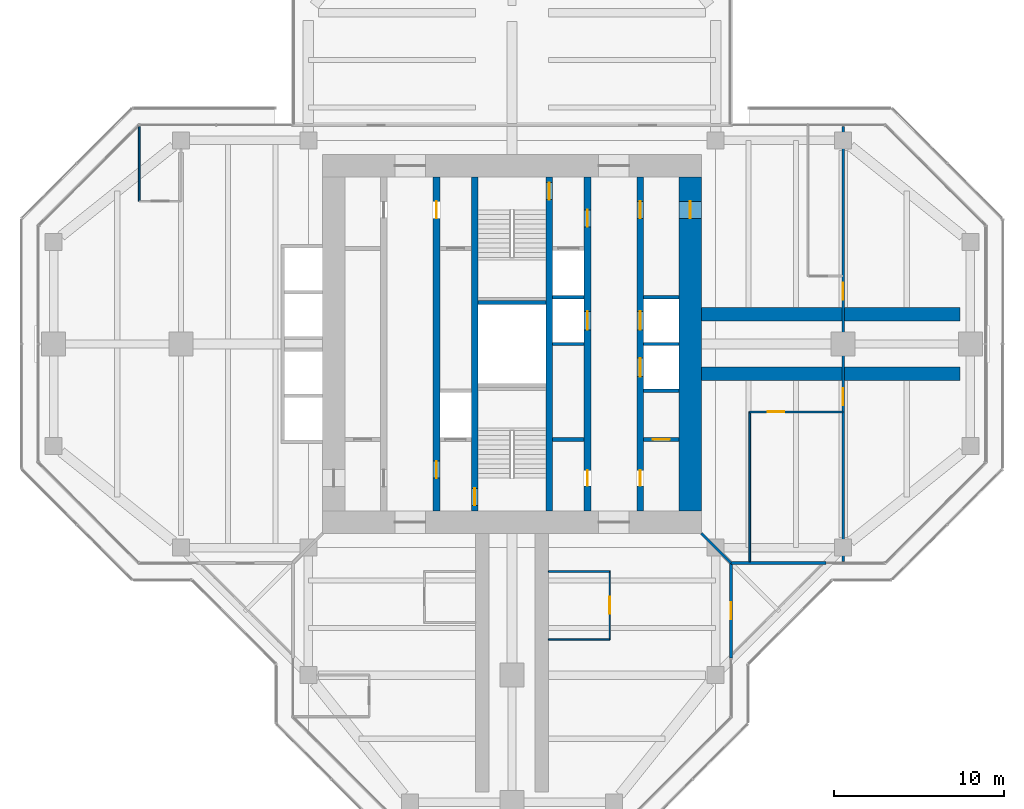
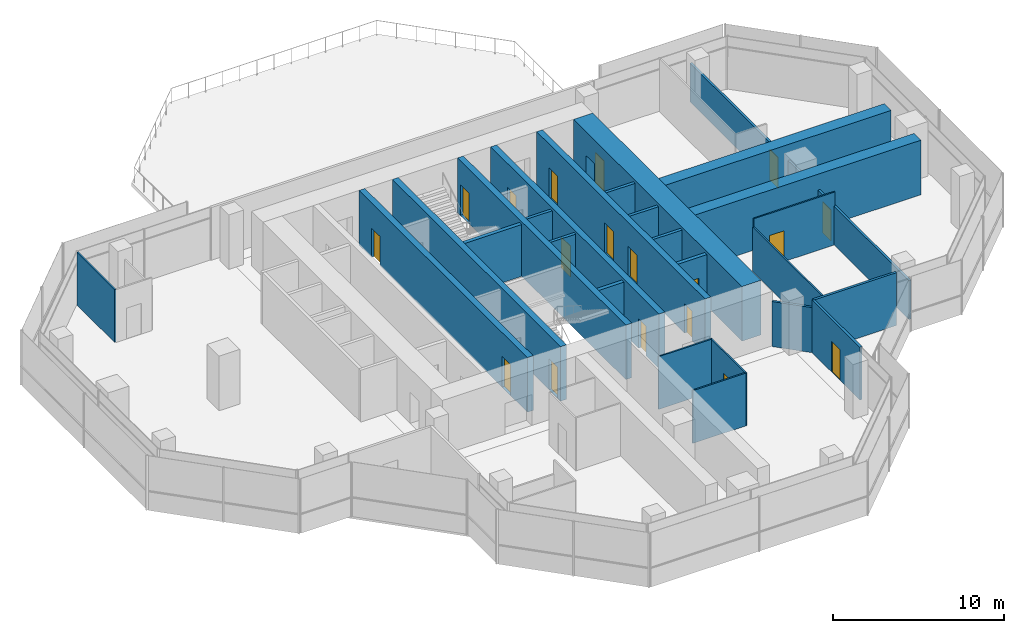
# One storey, part 12 of 15: 26 walls, 18 doors, 18 openings.
"""IFC4 building model written with IfcOpenShell, lengths in metres."""

from ifc_helpers import new_model, si_unit, direction, frame, frame_2d, origin, place, context, subcontext, project, spatial, rectangle, extrude, material, layer, layer_set, type_object, element, fill, save


model = new_model("IFC4")

# Units and contexts
model_context = context("Model", 3, precision=1e-05, world=origin(), true_north=direction((0.0, 1.0)))
body_context = subcontext(model_context, "Body", "Model", "MODEL_VIEW")
ifc_project = project(units=[si_unit("LENGTHUNIT", "METRE"), si_unit("AREAUNIT", "SQUARE_METRE"), si_unit("VOLUMEUNIT", "CUBIC_METRE"), si_unit("PLANEANGLEUNIT", "RADIAN"), si_unit("MASSUNIT", "GRAM", prefix="KILO")], contexts=[model_context])

# Site, building, storey
site_placement = place(None, origin())
site = spatial("IfcSite", under=ifc_project, at=site_placement, CompositionType="ELEMENT")
building_placement = place(site_placement, origin())
building = spatial("IfcBuilding", under=site, at=building_placement, Name="Mizan Broadcast Tower", CompositionType="ELEMENT")
storey_placement = place(building_placement, frame((0.0, 0.0, 267.300048828125)))
storey = spatial("IfcBuildingStorey", under=building, at=storey_placement, Name="L63", CompositionType="ELEMENT", Elevation=267.300048828125)

# Wall, openings, doors
ifc_material_1 = material(Name="Concrete C70/85", Category="concrete")
ifc_layer_1 = layer(ifc_material_1, 0.39990234375)
ifc_layer_set_1 = layer_set([ifc_layer_1], Name="Concrete C70/85")
wall_type_1 = type_object("IfcWallType", Name="CORE INTERNAL WALL 400", PredefinedType="SHEAR", material=ifc_layer_set_1)
wall_1_placement = place(storey_placement, frame((7.550048828125, 9.85009765625, 0.0), z_axis=(0.0, 0.0, 1.0), x_axis=(0.0, -1.0, 0.0)))
wall_1 = element("IfcWall", 1, at=wall_1_placement, inside=storey, type_object=wall_type_1, Name="Core wall CORE/XW1E", PredefinedType="SHEAR", context=body_context, shape_type="SweptSolid", body=[
    extrude(rectangle(XDim=19.7001953125, YDim=0.39990234375, at=frame_2d((9.85009765625, 0.0))), origin(), (0.0, 0.0, 1.0), 3.89990234375),
])
opening_1_placement = place(wall_1_placement, frame((1.449951171875, 0.0, 0.0)))
opening_1 = element("IfcOpeningElement", 2, at=opening_1_placement, cuts=wall_1, Name="Opening D10F", PredefinedType="OPENING", context=body_context, shape_type="SweptSolid", body=[
    extrude(rectangle(XDim=1.0, YDim=2.199951171875, at=frame_2d((0.5, 1.10009765625))), frame((0.0, 0.2099609375, 0.0), z_axis=(0.0, -1.0, 0.0), x_axis=(1.0, 0.0, 0.0)), (0.0, 0.0, 1.0), 0.419921875),
])
opening_2_placement = place(wall_1_placement, frame((17.300048828125, 0.0, 0.0)))
opening_2 = element("IfcOpeningElement", 3, at=opening_2_placement, cuts=wall_1, Name="Opening D09", PredefinedType="OPENING", context=body_context, shape_type="SweptSolid", body=[
    extrude(rectangle(XDim=0.89990234375, YDim=2.10009765625, at=frame_2d((0.449951171875, 1.050048828125))), frame((0.0, 0.2099609375, 0.0), z_axis=(0.0, -1.0, 0.0), x_axis=(1.0, 0.0, 0.0)), (0.0, 0.0, 1.0), 0.419921875),
])
opening_3_placement = place(wall_1_placement, frame((7.925048828125, 0.0, 0.0)))
opening_3 = element("IfcOpeningElement", 4, at=opening_3_placement, cuts=wall_1, Name="Opening LD", PredefinedType="OPENING", context=body_context, shape_type="SweptSolid", body=[
    extrude(rectangle(XDim=1.10009765625, YDim=2.199951171875, at=frame_2d((0.550048828125, 1.10009765625))), frame((0.0, 0.2099609375, 0.0), z_axis=(0.0, -1.0, 0.0), x_axis=(1.0, 0.0, 0.0)), (0.0, 0.0, 1.0), 0.419921875),
])
opening_4_placement = place(wall_1_placement, frame((10.675048828125, 0.0, 0.0)))
opening_4 = element("IfcOpeningElement", 5, at=opening_4_placement, cuts=wall_1, Name="Opening LD", PredefinedType="OPENING", context=body_context, shape_type="SweptSolid", body=[
    extrude(rectangle(XDim=1.10009765625, YDim=2.199951171875, at=frame_2d((0.550048828125, 1.10009765625))), frame((0.0, 0.2099609375, 0.0), z_axis=(0.0, -1.0, 0.0), x_axis=(1.0, 0.0, 0.0)), (0.0, 0.0, 1.0), 0.419921875),
])
ifc_material_2 = material(Name="Steel door leaf in steel frame", Category="steel")
door_type_1 = type_object("IfcDoorType", Name="FIRE DOOR 1000 FD90", OperationType="SINGLE_SWING_LEFT", PredefinedType="DOOR", material=ifc_material_2)
door_1_placement = place(opening_1_placement, origin())
door_1 = element("IfcDoor", 6, at=door_1_placement, inside=storey, type_object=door_type_1, Name="East core passage door", OperationType="SINGLE_SWING_LEFT", OverallHeight=2.199951171875, OverallWidth=1.0, PredefinedType="DOOR", context=body_context, shape_type="SweptSolid", body=[
    extrude(rectangle(XDim=1.0, YDim=2.199951171875, at=frame_2d((0.5, 1.10009765625))), frame((0.0, 0.02490234375, 0.0), z_axis=(0.0, -1.0, 0.0), x_axis=(1.0, 0.0, 0.0)), (0.0, 0.0, 1.0), 0.050048828125),
])
fill(opening_1, door_1)
ifc_material_3 = material(Name="Steel door leaf in steel frame", Category="steel")
door_type_2 = type_object("IfcDoorType", Name="LIFT LANDING DOOR 1100", OperationType="SLIDING_TO_LEFT", PredefinedType="DOOR", material=ifc_material_3)
door_2_placement = place(opening_3_placement, origin())
door_2 = element("IfcDoor", 7, at=door_2_placement, inside=storey, type_object=door_type_2, Name="Landing door LD1", OperationType="SLIDING_TO_LEFT", OverallHeight=2.199951171875, OverallWidth=1.10009765625, PredefinedType="DOOR", context=body_context, shape_type="SweptSolid", body=[
    extrude(rectangle(XDim=1.10009765625, YDim=2.199951171875, at=frame_2d((0.550048828125, 1.10009765625))), frame((0.0, 0.02490234375, 0.0), z_axis=(0.0, -1.0, 0.0), x_axis=(1.0, 0.0, 0.0)), (0.0, 0.0, 1.0), 0.050048828125),
])
fill(opening_3, door_2)
door_3_placement = place(opening_4_placement, origin())
door_3 = element("IfcDoor", 8, at=door_3_placement, inside=storey, type_object=door_type_2, Name="Landing door LD2", OperationType="SLIDING_TO_LEFT", OverallHeight=2.199951171875, OverallWidth=1.10009765625, PredefinedType="DOOR", context=body_context, shape_type="SweptSolid", body=[
    extrude(rectangle(XDim=1.10009765625, YDim=2.199951171875, at=frame_2d((0.550048828125, 1.10009765625))), frame((0.0, 0.02490234375, 0.0), z_axis=(0.0, -1.0, 0.0), x_axis=(1.0, 0.0, 0.0)), (0.0, 0.0, 1.0), 0.050048828125),
])
fill(opening_4, door_3)
ifc_material_4 = material(Name="Timber door leaf in aluminium frame", Category="wood")
door_type_3 = type_object("IfcDoorType", Name="TOILET DOOR 900", OperationType="SINGLE_SWING_LEFT", PredefinedType="DOOR", material=ifc_material_4)
door_4_placement = place(opening_2_placement, origin())
door_4 = element("IfcDoor", 9, at=door_4_placement, inside=storey, type_object=door_type_3, Name="Female WC door", OperationType="SINGLE_SWING_RIGHT", OverallHeight=2.10009765625, OverallWidth=0.89990234375, PredefinedType="DOOR", context=body_context, shape_type="SweptSolid", body=[
    extrude(rectangle(XDim=0.89990234375, YDim=2.10009765625, at=frame_2d((0.449951171875, 1.050048828125))), frame((0.0, 0.02490234375, 0.0), z_axis=(0.0, -1.0, 0.0), x_axis=(1.0, 0.0, 0.0)), (0.0, 0.0, 1.0), 0.050048828125),
])
fill(opening_2, door_4)

wall_2_placement = place(storey_placement, frame((-4.449951171875, -9.85009765625, 0.0), z_axis=(0.0, 0.0, 1.0), x_axis=(0.0, 1.0, 0.0)))
wall_2 = element("IfcWall", 10, at=wall_2_placement, inside=storey, type_object=wall_type_1, Name="Core wall CORE/XWH", PredefinedType="SHEAR", context=body_context, shape_type="SweptSolid", body=[
    extrude(rectangle(XDim=19.7001953125, YDim=0.39990234375, at=frame_2d((9.85009765625, 0.0))), origin(), (0.0, 0.0, 1.0), 3.89990234375),
])
opening_5_placement = place(wall_2_placement, frame((1.949951171875, 0.0, 0.0)))
opening_5 = element("IfcOpeningElement", 11, at=opening_5_placement, cuts=wall_2, Name="Opening D10F", PredefinedType="OPENING", context=body_context, shape_type="SweptSolid", body=[
    extrude(rectangle(XDim=1.0, YDim=2.199951171875, at=frame_2d((0.5, 1.10009765625))), frame((0.0, 0.2099609375, 0.0), z_axis=(0.0, -1.0, 0.0), x_axis=(1.0, 0.0, 0.0)), (0.0, 0.0, 1.0), 0.419921875),
])
opening_6_placement = place(wall_2_placement, frame((17.25, 0.0, 0.0)))
opening_6 = element("IfcOpeningElement", 12, at=opening_6_placement, cuts=wall_2, Name="Opening D10A", PredefinedType="OPENING", context=body_context, shape_type="SweptSolid", body=[
    extrude(rectangle(XDim=1.0, YDim=2.10009765625, at=frame_2d((0.5, 1.050048828125))), frame((0.0, 0.2099609375, 0.0), z_axis=(0.0, -1.0, 0.0), x_axis=(1.0, 0.0, 0.0)), (0.0, 0.0, 1.0), 0.419921875),
])
ifc_material_5 = material(Name="Timber door leaf in aluminium frame", Category="wood")
door_type_4 = type_object("IfcDoorType", Name="ACCESSIBLE WC DOOR 1000", OperationType="SLIDING_TO_LEFT", PredefinedType="DOOR", material=ifc_material_5)
door_5_placement = place(opening_6_placement, origin())
door_5 = element("IfcDoor", 13, at=door_5_placement, inside=storey, type_object=door_type_4, Name="Accessible WC door", OperationType="SLIDING_TO_LEFT", OverallHeight=2.10009765625, OverallWidth=1.0, PredefinedType="DOOR", context=body_context, shape_type="SweptSolid", body=[
    extrude(rectangle(XDim=1.0, YDim=2.10009765625, at=frame_2d((0.5, 1.050048828125))), frame((0.0, 0.02490234375, 0.0), z_axis=(0.0, -1.0, 0.0), x_axis=(1.0, 0.0, 0.0)), (0.0, 0.0, 1.0), 0.050048828125),
])
fill(opening_6, door_5)
door_6_placement = place(opening_5_placement, origin())
door_6 = element("IfcDoor", 14, at=door_6_placement, inside=storey, type_object=door_type_1, Name="Firefighting lobby A door", OperationType="SINGLE_SWING_LEFT", OverallHeight=2.199951171875, OverallWidth=1.0, PredefinedType="DOOR", context=body_context, shape_type="SweptSolid", body=[
    extrude(rectangle(XDim=1.0, YDim=2.199951171875, at=frame_2d((0.5, 1.10009765625))), frame((0.0, 0.02490234375, 0.0), z_axis=(0.0, -1.0, 0.0), x_axis=(1.0, 0.0, 0.0)), (0.0, 0.0, 1.0), 0.050048828125),
])
fill(opening_5, door_6)

wall_3_placement = place(storey_placement, frame((4.449951171875, 9.85009765625, 0.0), z_axis=(0.0, 0.0, 1.0), x_axis=(0.0, -1.0, 0.0)))
wall_3 = element("IfcWall", 15, at=wall_3_placement, inside=storey, type_object=wall_type_1, Name="Core wall CORE/XWHE", PredefinedType="SHEAR", context=body_context, shape_type="SweptSolid", body=[
    extrude(rectangle(XDim=19.7001953125, YDim=0.39990234375, at=frame_2d((9.85009765625, 0.0))), origin(), (0.0, 0.0, 1.0), 3.89990234375),
])
opening_7_placement = place(wall_3_placement, frame((1.949951171875, 0.0, 0.0)))
opening_7 = element("IfcOpeningElement", 16, at=opening_7_placement, cuts=wall_3, Name="Opening D10F", PredefinedType="OPENING", context=body_context, shape_type="SweptSolid", body=[
    extrude(rectangle(XDim=1.0, YDim=2.199951171875, at=frame_2d((0.5, 1.10009765625))), frame((0.0, 0.2099609375, 0.0), z_axis=(0.0, -1.0, 0.0), x_axis=(1.0, 0.0, 0.0)), (0.0, 0.0, 1.0), 0.419921875),
])
opening_8_placement = place(wall_3_placement, frame((17.300048828125, 0.0, 0.0)))
opening_8 = element("IfcOpeningElement", 17, at=opening_8_placement, cuts=wall_3, Name="Opening D09", PredefinedType="OPENING", context=body_context, shape_type="SweptSolid", body=[
    extrude(rectangle(XDim=0.89990234375, YDim=2.10009765625, at=frame_2d((0.449951171875, 1.050048828125))), frame((0.0, 0.2099609375, 0.0), z_axis=(0.0, -1.0, 0.0), x_axis=(1.0, 0.0, 0.0)), (0.0, 0.0, 1.0), 0.419921875),
])
opening_9_placement = place(wall_3_placement, frame((7.925048828125, 0.0, 0.0)))
opening_9 = element("IfcOpeningElement", 18, at=opening_9_placement, cuts=wall_3, Name="Opening LD", PredefinedType="OPENING", context=body_context, shape_type="SweptSolid", body=[
    extrude(rectangle(XDim=1.10009765625, YDim=2.199951171875, at=frame_2d((0.550048828125, 1.10009765625))), frame((0.0, 0.2099609375, 0.0), z_axis=(0.0, -1.0, 0.0), x_axis=(1.0, 0.0, 0.0)), (0.0, 0.0, 1.0), 0.419921875),
])
door_7_placement = place(opening_7_placement, origin())
door_7 = element("IfcDoor", 19, at=door_7_placement, inside=storey, type_object=door_type_1, Name="Firefighting lobby B door", OperationType="SINGLE_SWING_LEFT", OverallHeight=2.199951171875, OverallWidth=1.0, PredefinedType="DOOR", context=body_context, shape_type="SweptSolid", body=[
    extrude(rectangle(XDim=1.0, YDim=2.199951171875, at=frame_2d((0.5, 1.10009765625))), frame((0.0, 0.02490234375, 0.0), z_axis=(0.0, -1.0, 0.0), x_axis=(1.0, 0.0, 0.0)), (0.0, 0.0, 1.0), 0.050048828125),
])
fill(opening_7, door_7)
door_8_placement = place(opening_9_placement, origin())
door_8 = element("IfcDoor", 20, at=door_8_placement, inside=storey, type_object=door_type_2, Name="Landing door LD3", OperationType="SLIDING_TO_LEFT", OverallHeight=2.199951171875, OverallWidth=1.10009765625, PredefinedType="DOOR", context=body_context, shape_type="SweptSolid", body=[
    extrude(rectangle(XDim=1.10009765625, YDim=2.199951171875, at=frame_2d((0.550048828125, 1.10009765625))), frame((0.0, 0.02490234375, 0.0), z_axis=(0.0, -1.0, 0.0), x_axis=(1.0, 0.0, 0.0)), (0.0, 0.0, 1.0), 0.050048828125),
])
fill(opening_9, door_8)
door_9_placement = place(opening_8_placement, origin())
door_9 = element("IfcDoor", 21, at=door_9_placement, inside=storey, type_object=door_type_3, Name="Cleaner's store door", OperationType="SINGLE_SWING_RIGHT", OverallHeight=2.10009765625, OverallWidth=0.89990234375, PredefinedType="DOOR", context=body_context, shape_type="SweptSolid", body=[
    extrude(rectangle(XDim=0.89990234375, YDim=2.10009765625, at=frame_2d((0.449951171875, 1.050048828125))), frame((0.0, 0.02490234375, 0.0), z_axis=(0.0, -1.0, 0.0), x_axis=(1.0, 0.0, 0.0)), (0.0, 0.0, 1.0), 0.050048828125),
])
fill(opening_8, door_9)

# Wall, opening, door
wall_4_placement = place(storey_placement, frame((-2.199951171875, -9.85009765625, 0.0), z_axis=(0.0, 0.0, 1.0), x_axis=(0.0, 1.0, 0.0)))
wall_4 = element("IfcWall", 22, at=wall_4_placement, inside=storey, type_object=wall_type_1, Name="Core wall CORE/XW2", PredefinedType="SHEAR", context=body_context, shape_type="SweptSolid", body=[
    extrude(rectangle(XDim=19.7001953125, YDim=0.39990234375, at=frame_2d((9.85009765625, 0.0))), origin(), (0.0, 0.0, 1.0), 3.89990234375),
])
opening_10_placement = place(wall_4_placement, frame((0.35009765625, 0.0, 0.0)))
opening_10 = element("IfcOpeningElement", 23, at=opening_10_placement, cuts=wall_4, Name="Opening D10S", PredefinedType="OPENING", context=body_context, shape_type="SweptSolid", body=[
    extrude(rectangle(XDim=1.0, YDim=2.199951171875, at=frame_2d((0.5, 1.10009765625))), frame((0.0, 0.2099609375, 0.0), z_axis=(0.0, -1.0, 0.0), x_axis=(1.0, 0.0, 0.0)), (0.0, 0.0, 1.0), 0.419921875),
])
ifc_material_6 = material(Name="Steel door leaf in steel frame", Category="steel")
door_type_5 = type_object("IfcDoorType", Name="STAIR DOOR 1000 FD90S", OperationType="SINGLE_SWING_RIGHT", PredefinedType="DOOR", material=ifc_material_6)
door_10_placement = place(opening_10_placement, origin())
door_10 = element("IfcDoor", 24, at=door_10_placement, inside=storey, type_object=door_type_5, Name="Stair A door", OperationType="SINGLE_SWING_RIGHT", OverallHeight=2.199951171875, OverallWidth=1.0, PredefinedType="DOOR", context=body_context, shape_type="SweptSolid", body=[
    extrude(rectangle(XDim=1.0, YDim=2.199951171875, at=frame_2d((0.5, 1.10009765625))), frame((0.0, 0.02490234375, 0.0), z_axis=(0.0, -1.0, 0.0), x_axis=(1.0, 0.0, 0.0)), (0.0, 0.0, 1.0), 0.050048828125),
])
fill(opening_10, door_10)

wall_5_placement = place(storey_placement, frame((2.199951171875, 9.85009765625, 0.0), z_axis=(0.0, 0.0, 1.0), x_axis=(0.0, -1.0, 0.0)))
wall_5 = element("IfcWall", 25, at=wall_5_placement, inside=storey, type_object=wall_type_1, Name="Core wall CORE/XW2E", PredefinedType="SHEAR", context=body_context, shape_type="SweptSolid", body=[
    extrude(rectangle(XDim=19.7001953125, YDim=0.39990234375, at=frame_2d((9.85009765625, 0.0))), origin(), (0.0, 0.0, 1.0), 3.89990234375),
])
opening_11_placement = place(wall_5_placement, frame((0.35009765625, 0.0, 0.0)))
opening_11 = element("IfcOpeningElement", 26, at=opening_11_placement, cuts=wall_5, Name="Opening D10S", PredefinedType="OPENING", context=body_context, shape_type="SweptSolid", body=[
    extrude(rectangle(XDim=1.0, YDim=2.199951171875, at=frame_2d((0.5, 1.10009765625))), frame((0.0, 0.2099609375, 0.0), z_axis=(0.0, -1.0, 0.0), x_axis=(1.0, 0.0, 0.0)), (0.0, 0.0, 1.0), 0.419921875),
])
door_11_placement = place(opening_11_placement, origin())
door_11 = element("IfcDoor", 27, at=door_11_placement, inside=storey, type_object=door_type_5, Name="Stair B door", OperationType="SINGLE_SWING_RIGHT", OverallHeight=2.199951171875, OverallWidth=1.0, PredefinedType="DOOR", context=body_context, shape_type="SweptSolid", body=[
    extrude(rectangle(XDim=1.0, YDim=2.199951171875, at=frame_2d((0.5, 1.10009765625))), frame((0.0, 0.02490234375, 0.0), z_axis=(0.0, -1.0, 0.0), x_axis=(1.0, 0.0, 0.0)), (0.0, 0.0, 1.0), 0.050048828125),
])
fill(opening_11, door_11)

ifc_material_7 = material(Name="Concrete C70/85", Category="concrete")
ifc_layer_2 = layer(ifc_material_7, 1.300048828125)
ifc_layer_set_2 = layer_set([ifc_layer_2], Name="Concrete C70/85")
wall_type_2 = type_object("IfcWallType", Name="CORE WALL 1300", PredefinedType="SHEAR", material=ifc_layer_set_2)
wall_6_placement = place(storey_placement, frame((10.5, -9.85009765625, 0.0), z_axis=(0.0, 0.0, 1.0), x_axis=(0.0, 1.0, 0.0)))
wall_6 = element("IfcWall", 28, at=wall_6_placement, inside=storey, type_object=wall_type_2, Name="Core wall E L63", PredefinedType="SHEAR", context=body_context, shape_type="SweptSolid", body=[
    extrude(rectangle(XDim=19.7001953125, YDim=1.300048828125, at=frame_2d((9.85009765625, 0.0))), origin(), (0.0, 0.0, 1.0), 3.89990234375),
])
opening_12_placement = place(wall_6_placement, frame((17.25, 0.0, 0.0)))
opening_12 = element("IfcOpeningElement", 29, at=opening_12_placement, cuts=wall_6, Name="Opening D10F", PredefinedType="OPENING", context=body_context, shape_type="SweptSolid", body=[
    extrude(rectangle(XDim=1.0, YDim=2.199951171875, at=frame_2d((0.5, 1.10009765625))), frame((0.0, 0.659912109375, 0.0), z_axis=(0.0, -1.0, 0.0), x_axis=(1.0, 0.0, 0.0)), (0.0, 0.0, 1.0), 1.320068359375),
])
door_12_placement = place(opening_12_placement, origin())
door_12 = element("IfcDoor", 30, at=door_12_placement, inside=storey, type_object=door_type_1, Name="East core passage arm door", OperationType="SINGLE_SWING_RIGHT", OverallHeight=2.199951171875, OverallWidth=1.0, PredefinedType="DOOR", context=body_context, shape_type="SweptSolid", body=[
    extrude(rectangle(XDim=1.0, YDim=2.199951171875, at=frame_2d((0.5, 1.10009765625))), frame((0.0, 0.02490234375, 0.0), z_axis=(0.0, -1.0, 0.0), x_axis=(1.0, 0.0, 0.0)), (0.0, 0.0, 1.0), 0.050048828125),
])
fill(opening_12, door_12)

# Wall
ifc_material_8 = material(Name="Aluminium framed glazed screen", Category="aluminium")
ifc_layer_3 = layer(ifc_material_8, 0.159912109375)
ifc_layer_set_3 = layer_set([ifc_layer_3], Name="Aluminium framed glazed screen")
wall_type_3 = type_object("IfcWallType", Name="GLAZED SCREEN WALL 160", PredefinedType="SOLIDWALL", material=ifc_layer_set_3)
wall_7_placement = place(storey_placement, frame((12.89990234375, -12.89990234375, 0.0), z_axis=(0.0, 0.0, 1.0), x_axis=(1.0, 0.0, 0.0)))
element("IfcWall", 31, at=wall_7_placement, inside=storey, type_object=wall_type_3, Name="Winter garden screen L63 E", PredefinedType="SOLIDWALL", context=body_context, shape_type="SweptSolid", body=[
    extrude(rectangle(XDim=5.60009765625, YDim=0.159912109375, at=frame_2d((2.800048828125, 0.0))), origin(), (0.0, 0.0, 1.0), 3.77001953125),
])

# Wall, opening, door
wall_8_placement = place(storey_placement, frame((12.89990234375, -18.5, 0.0), z_axis=(0.0, 0.0, 1.0), x_axis=(0.0, 1.0, 0.0)))
wall_8 = element("IfcWall", 32, at=wall_8_placement, inside=storey, type_object=wall_type_3, Name="Winter garden screen L63 S", PredefinedType="SOLIDWALL", context=body_context, shape_type="SweptSolid", body=[
    extrude(rectangle(XDim=5.60009765625, YDim=0.159912109375, at=frame_2d((2.800048828125, 0.0))), origin(), (0.0, 0.0, 1.0), 3.77001953125),
])
opening_13_placement = place(wall_8_placement, frame((2.300048828125, 0.0, 0.0)))
opening_13 = element("IfcOpeningElement", 33, at=opening_13_placement, cuts=wall_8, Name="Opening WGD", PredefinedType="OPENING", context=body_context, shape_type="SweptSolid", body=[
    extrude(rectangle(XDim=1.0, YDim=2.199951171875, at=frame_2d((0.5, 1.10009765625))), frame((0.0, 0.08984375, 0.0), z_axis=(0.0, -1.0, 0.0), x_axis=(1.0, 0.0, 0.0)), (0.0, 0.0, 1.0), 0.179931640625),
])
ifc_material_9 = material(Name="Aluminium framed glazed door", Category="aluminium")
door_type_6 = type_object("IfcDoorType", Name="WINTER GARDEN DOOR 1000 GLAZED", OperationType="SINGLE_SWING_LEFT", PredefinedType="DOOR", material=ifc_material_9)
door_13_placement = place(opening_13_placement, origin())
door_13 = element("IfcDoor", 34, at=door_13_placement, inside=storey, type_object=door_type_6, Name="Winter garden door L63 S", OperationType="SINGLE_SWING_RIGHT", OverallHeight=2.199951171875, OverallWidth=1.0, PredefinedType="DOOR", context=body_context, shape_type="SweptSolid", body=[
    extrude(rectangle(XDim=1.0, YDim=2.199951171875, at=frame_2d((0.5, 1.10009765625))), frame((0.0, 0.02490234375, 0.0), z_axis=(0.0, -1.0, 0.0), x_axis=(1.0, 0.0, 0.0)), (0.0, 0.0, 1.0), 0.050048828125),
])
fill(opening_13, door_13)

# Walls
ifc_material_10 = material(Name="Concrete blockwork", Category="masonry")
ifc_layer_4 = layer(ifc_material_10, 0.199951171875)
ifc_layer_set_4 = layer_set([ifc_layer_4], Name="Concrete blockwork")
wall_type_4 = type_object("IfcWallType", Name="LIFT SHAFT WALL 200", PredefinedType="SOLIDWALL", material=ifc_layer_set_4)
wall_9_placement = place(storey_placement, frame((7.75, -2.75, 0.0), z_axis=(0.0, 0.0, 1.0), x_axis=(1.0, 0.0, 0.0)))
element("IfcWall", 35, at=wall_9_placement, inside=storey, type_object=wall_type_4, Name="Lift shaft wall CORE/SE1-1", PredefinedType="SOLIDWALL", context=body_context, shape_type="SweptSolid", body=[
    extrude(rectangle(XDim=2.10009765625, YDim=0.199951171875, at=frame_2d((1.050048828125, 0.0))), origin(), (0.0, 0.0, 1.0), 3.699951171875),
])
wall_10_placement = place(storey_placement, frame((2.39990234375, 0.0, 0.0), z_axis=(0.0, 0.0, 1.0), x_axis=(1.0, 0.0, 0.0)))
element("IfcWall", 36, at=wall_10_placement, inside=storey, type_object=wall_type_4, Name="Lift shaft wall CORE/SE2-2", PredefinedType="SOLIDWALL", context=body_context, shape_type="SweptSolid", body=[
    extrude(rectangle(XDim=1.85009765625, YDim=0.199951171875, at=frame_2d((0.925048828125, 0.0))), origin(), (0.0, 0.0, 1.0), 3.699951171875),
])
wall_11_placement = place(storey_placement, frame((7.75, 0.0, 0.0), z_axis=(0.0, 0.0, 1.0), x_axis=(1.0, 0.0, 0.0)))
element("IfcWall", 37, at=wall_11_placement, inside=storey, type_object=wall_type_4, Name="Lift shaft wall CORE/SE1-2", PredefinedType="SOLIDWALL", context=body_context, shape_type="SweptSolid", body=[
    extrude(rectangle(XDim=2.10009765625, YDim=0.199951171875, at=frame_2d((1.050048828125, 0.0))), origin(), (0.0, 0.0, 1.0), 3.699951171875),
])
wall_12_placement = place(storey_placement, frame((2.39990234375, 2.75, 0.0), z_axis=(0.0, 0.0, 1.0), x_axis=(1.0, 0.0, 0.0)))
element("IfcWall", 38, at=wall_12_placement, inside=storey, type_object=wall_type_4, Name="Lift shaft wall CORE/SE2-3", PredefinedType="SOLIDWALL", context=body_context, shape_type="SweptSolid", body=[
    extrude(rectangle(XDim=1.85009765625, YDim=0.199951171875, at=frame_2d((0.925048828125, 0.0))), origin(), (0.0, 0.0, 1.0), 3.699951171875),
])
wall_13_placement = place(storey_placement, frame((7.75, 2.75, 0.0), z_axis=(0.0, 0.0, 1.0), x_axis=(1.0, 0.0, 0.0)))
element("IfcWall", 39, at=wall_13_placement, inside=storey, type_object=wall_type_4, Name="Lift shaft wall CORE/SE1-3", PredefinedType="SOLIDWALL", context=body_context, shape_type="SweptSolid", body=[
    extrude(rectangle(XDim=2.10009765625, YDim=0.199951171875, at=frame_2d((1.050048828125, 0.0))), origin(), (0.0, 0.0, 1.0), 3.699951171875),
])
ifc_material_11 = material(Name="Concrete blockwork", Category="masonry")
ifc_layer_5 = layer(ifc_material_11, 0.25)
ifc_layer_set_5 = layer_set([ifc_layer_5], Name="Concrete blockwork")
wall_type_5 = type_object("IfcWallType", Name="LOBBY ENCLOSURE WALL 250", PredefinedType="SOLIDWALL", material=ifc_layer_set_5)
wall_14_placement = place(storey_placement, frame((2.39990234375, -5.625, 0.0), z_axis=(0.0, 0.0, 1.0), x_axis=(1.0, 0.0, 0.0)))
element("IfcWall", 40, at=wall_14_placement, inside=storey, type_object=wall_type_5, Name="Lobby enclosure wall CORE/BE2S", PredefinedType="SOLIDWALL", context=body_context, shape_type="SweptSolid", body=[
    extrude(rectangle(XDim=1.85009765625, YDim=0.25, at=frame_2d((0.925048828125, 0.0))), origin(), (0.0, 0.0, 1.0), 3.699951171875),
])

# Wall, opening, door
wall_15_placement = place(storey_placement, frame((7.75, -5.625, 0.0), z_axis=(0.0, 0.0, 1.0), x_axis=(1.0, 0.0, 0.0)))
wall_15 = element("IfcWall", 41, at=wall_15_placement, inside=storey, type_object=wall_type_5, Name="Lobby enclosure wall CORE/BE1S", PredefinedType="SOLIDWALL", context=body_context, shape_type="SweptSolid", body=[
    extrude(rectangle(XDim=2.10009765625, YDim=0.25, at=frame_2d((1.050048828125, 0.0))), origin(), (0.0, 0.0, 1.0), 3.699951171875),
])
opening_14_placement = place(wall_15_placement, frame((0.550048828125, 0.0, 0.0)))
opening_14 = element("IfcOpeningElement", 42, at=opening_14_placement, cuts=wall_15, Name="Opening D10F", PredefinedType="OPENING", context=body_context, shape_type="SweptSolid", body=[
    extrude(rectangle(XDim=1.0, YDim=2.199951171875, at=frame_2d((0.5, 1.10009765625))), frame((0.0, 0.135009765625, 0.0), z_axis=(0.0, -1.0, 0.0), x_axis=(1.0, 0.0, 0.0)), (0.0, 0.0, 1.0), 0.27001953125),
])
door_14_placement = place(opening_14_placement, origin())
door_14 = element("IfcDoor", 43, at=door_14_placement, inside=storey, type_object=door_type_1, Name="Female staff shower room door", OperationType="SINGLE_SWING_LEFT", OverallHeight=2.199951171875, OverallWidth=1.0, PredefinedType="DOOR", context=body_context, shape_type="SweptSolid", body=[
    extrude(rectangle(XDim=1.0, YDim=2.199951171875, at=frame_2d((0.5, 1.10009765625))), frame((0.0, 0.02490234375, 0.0), z_axis=(0.0, -1.0, 0.0), x_axis=(1.0, 0.0, 0.0)), (0.0, 0.0, 1.0), 0.050048828125),
])
fill(opening_14, door_14)

# Wall
wall_16_placement = place(storey_placement, frame((-2.0, 2.449951171875, 0.0), z_axis=(0.0, 0.0, 1.0), x_axis=(1.0, 0.0, 0.0)))
element("IfcWall", 44, at=wall_16_placement, inside=storey, type_object=wall_type_5, Name="Lobby enclosure wall CORE/STB", PredefinedType="SOLIDWALL", context=body_context, shape_type="SweptSolid", body=[
    extrude(rectangle(XDim=4.0, YDim=0.25, at=frame_2d((2.0, 0.0))), origin(), (0.0, 0.0, 1.0), 3.699951171875),
])

# Wall, openings, doors
ifc_material_12 = material(Name="Gypsum board on steel studs", Category="steel")
ifc_layer_6 = layer(ifc_material_12, 0.14990234375)
ifc_layer_set_6 = layer_set([ifc_layer_6], Name="Gypsum board on steel studs")
wall_type_6 = type_object("IfcWallType", Name="PARTITION 150", PredefinedType="PARTITIONING", material=ifc_layer_set_6)
wall_17_placement = place(storey_placement, frame((19.5, -12.820068359375, 0.0), z_axis=(0.0, 0.0, 1.0), x_axis=(0.0, 1.0, 0.0)))
wall_17 = element("IfcWall", 45, at=wall_17_placement, inside=storey, type_object=wall_type_6, Name="Partition PT/EX1", PredefinedType="PARTITIONING", context=body_context, shape_type="SweptSolid", body=[
    extrude(rectangle(XDim=25.64013671875, YDim=0.14990234375, at=frame_2d((12.820068359375, 0.0))), origin(), (0.0, 0.0, 1.0), 2.77001953125),
])
opening_15_placement = place(wall_17_placement, frame((15.419921875, 0.0, 0.0)))
opening_15 = element("IfcOpeningElement", 46, at=opening_15_placement, cuts=wall_17, Name="Opening D10", PredefinedType="OPENING", context=body_context, shape_type="SweptSolid", body=[
    extrude(rectangle(XDim=1.0, YDim=2.199951171875, at=frame_2d((0.5, 1.10009765625))), frame((0.0, 0.0849609375, 0.0), z_axis=(0.0, -1.0, 0.0), x_axis=(1.0, 0.0, 0.0)), (0.0, 0.0, 1.0), 0.169921875),
])
opening_16_placement = place(wall_17_placement, frame((9.219970703125, 0.0, 0.0)))
opening_16 = element("IfcOpeningElement", 47, at=opening_16_placement, cuts=wall_17, Name="Opening D10", PredefinedType="OPENING", context=body_context, shape_type="SweptSolid", body=[
    extrude(rectangle(XDim=1.0, YDim=2.199951171875, at=frame_2d((0.5, 1.10009765625))), frame((0.0, 0.0849609375, 0.0), z_axis=(0.0, -1.0, 0.0), x_axis=(1.0, 0.0, 0.0)), (0.0, 0.0, 1.0), 0.169921875),
])
ifc_material_13 = material(Name="Timber door leaf in aluminium frame", Category="wood")
door_type_7 = type_object("IfcDoorType", Name="ROOM DOOR 1000", OperationType="SINGLE_SWING_LEFT", PredefinedType="DOOR", material=ifc_material_13)
door_15_placement = place(opening_15_placement, origin())
door_15 = element("IfcDoor", 48, at=door_15_placement, inside=storey, type_object=door_type_7, Name="Duty office door", OperationType="SINGLE_SWING_RIGHT", OverallHeight=2.199951171875, OverallWidth=1.0, PredefinedType="DOOR", context=body_context, shape_type="SweptSolid", body=[
    extrude(rectangle(XDim=1.0, YDim=2.199951171875, at=frame_2d((0.5, 1.10009765625))), frame((0.0, 0.02490234375, 0.0), z_axis=(0.0, -1.0, 0.0), x_axis=(1.0, 0.0, 0.0)), (0.0, 0.0, 1.0), 0.050048828125),
])
fill(opening_15, door_15)
door_16_placement = place(opening_16_placement, origin())
door_16 = element("IfcDoor", 49, at=door_16_placement, inside=storey, type_object=door_type_7, Name="Duty office door", OperationType="SINGLE_SWING_LEFT", OverallHeight=2.199951171875, OverallWidth=1.0, PredefinedType="DOOR", context=body_context, shape_type="SweptSolid", body=[
    extrude(rectangle(XDim=1.0, YDim=2.199951171875, at=frame_2d((0.5, 1.10009765625))), frame((0.0, 0.02490234375, 0.0), z_axis=(0.0, -1.0, 0.0), x_axis=(1.0, 0.0, 0.0)), (0.0, 0.0, 1.0), 0.050048828125),
])
fill(opening_16, door_16)

# Wall
wall_18_placement = place(storey_placement, frame((11.14990234375, -11.14990234375, 0.0), z_axis=(0.0, 0.0, 1.0), x_axis=(0.707106781187, -0.707106781187, 0.0)))
element("IfcWall", 50, at=wall_18_placement, inside=storey, type_object=wall_type_6, Name="Partition PT/DGES", PredefinedType="PARTITIONING", context=body_context, shape_type="SweptSolid", body=[
    extrude(rectangle(XDim=2.460693359375, YDim=0.14990234375, at=frame_2d((1.23046875, 0.0))), origin(), (0.0, 0.0, 1.0), 3.219970703125),
])

# Wall, opening, door
ifc_material_14 = material(Name="Glazed aluminium partition on aluminium track", Category="aluminium")
ifc_layer_7 = layer(ifc_material_14, 0.10009765625)
ifc_layer_set_7 = layer_set([ifc_layer_7], Name="Glazed aluminium partition on aluminium track")
wall_type_7 = type_object("IfcWallType", Name="PARTITION GLAZED OFFICE FRONT 100", PredefinedType="PARTITIONING", material=ifc_layer_set_7)
wall_19_placement = place(storey_placement, frame((14.0, -4.0, 0.0), z_axis=(0.0, 0.0, 1.0), x_axis=(1.0, 0.0, 0.0)))
wall_19 = element("IfcWall", 51, at=wall_19_placement, inside=storey, type_object=wall_type_7, Name="Glazed office front PT/ECN0", PredefinedType="PARTITIONING", context=body_context, shape_type="SweptSolid", body=[
    extrude(rectangle(XDim=5.5, YDim=0.10009765625, at=frame_2d((2.75, 0.0))), origin(), (0.0, 0.0, 1.0), 3.77001953125),
])
opening_17_placement = place(wall_19_placement, frame((1.050048828125, 0.0, 0.0)))
opening_17 = element("IfcOpeningElement", 52, at=opening_17_placement, cuts=wall_19, Name="Opening D10O", PredefinedType="OPENING", context=body_context, shape_type="SweptSolid", body=[
    extrude(rectangle(XDim=1.0, YDim=2.199951171875, at=frame_2d((0.5, 1.10009765625))), frame((0.0, 0.06005859375, 0.0), z_axis=(0.0, -1.0, 0.0), x_axis=(1.0, 0.0, 0.0)), (0.0, 0.0, 1.0), 0.1201171875),
])
ifc_material_15 = material(Name="Timber door leaf in aluminium frame", Category="wood")
door_type_8 = type_object("IfcDoorType", Name="OFFICE DOOR 1000 GLAZED", OperationType="SINGLE_SWING_LEFT", PredefinedType="DOOR", material=ifc_material_15)
door_17_placement = place(opening_17_placement, origin())
door_17 = element("IfcDoor", 53, at=door_17_placement, inside=storey, type_object=door_type_8, Name="Meeting room door", OperationType="SINGLE_SWING_LEFT", OverallHeight=2.199951171875, OverallWidth=1.0, PredefinedType="DOOR", context=body_context, shape_type="SweptSolid", body=[
    extrude(rectangle(XDim=1.0, YDim=2.199951171875, at=frame_2d((0.5, 1.10009765625))), frame((0.0, 0.02490234375, 0.0), z_axis=(0.0, -1.0, 0.0), x_axis=(1.0, 0.0, 0.0)), (0.0, 0.0, 1.0), 0.050048828125),
])
fill(opening_17, door_17)

# Walls
wall_20_placement = place(storey_placement, frame((14.0, -4.0, 0.0), z_axis=(0.0, 0.0, 1.0), x_axis=(0.0, -1.0, 0.0)))
element("IfcWall", 54, at=wall_20_placement, inside=storey, type_object=wall_type_7, Name="Glazed office front PT/EQN1400", PredefinedType="PARTITIONING", context=body_context, shape_type="SweptSolid", body=[
    extrude(rectangle(XDim=8.820068359375, YDim=0.10009765625, at=frame_2d((4.41015625, 0.0))), origin(), (0.0, 0.0, 1.0), 3.179931640625),
])
wall_21_placement = place(storey_placement, frame((-21.958984375, 8.39990234375, 0.0), z_axis=(0.0, 0.0, 1.0), x_axis=(0.0, 1.0, 0.0)))
element("IfcWall", 55, at=wall_21_placement, inside=storey, type_object=wall_type_7, Name="Glazed office front PT/WQN2196", PredefinedType="PARTITIONING", context=body_context, shape_type="SweptSolid", body=[
    extrude(rectangle(XDim=4.420166015625, YDim=0.10009765625, at=frame_2d((2.2099609375, 0.0))), origin(), (0.0, 0.0, 1.0), 3.77001953125),
])
for number, where, z_axis, x_axis, name in (
    (56, (2.14990234375, -13.39990234375, 0.0), (0.0, 0.0, 1.0), (1.0, 0.0, 0.0), "Glazed office front PT/SKP0a"),
    (57, (2.14990234375, -17.39990234375, 0.0), (0.0, 0.0, 1.0), (1.0, 0.0, 0.0), "Glazed office front PT/SKP0b"),
):
    element("IfcWall", number, at=place(storey_placement, frame(where, z_axis=z_axis, x_axis=x_axis)), inside=storey, type_object=wall_type_7, Name=name, PredefinedType="PARTITIONING", context=body_context, shape_type="SweptSolid", body=[
        extrude(rectangle(XDim=3.60009765625, YDim=0.10009765625, at=frame_2d((1.800048828125, 0.0))), origin(), (0.0, 0.0, 1.0), 3.77001953125),
    ])

# Wall, opening, door
wall_22_placement = place(storey_placement, frame((5.75, -13.35009765625, 0.0), z_axis=(0.0, 0.0, 1.0), x_axis=(0.0, -1.0, 0.0)))
wall_22 = element("IfcWall", 58, at=wall_22_placement, inside=storey, type_object=wall_type_7, Name="Glazed office front PT/SKP0f", PredefinedType="PARTITIONING", context=body_context, shape_type="SweptSolid", body=[
    extrude(rectangle(XDim=4.099853515625, YDim=0.10009765625, at=frame_2d((2.0498046875, 0.0))), origin(), (0.0, 0.0, 1.0), 3.77001953125),
])
opening_18_placement = place(wall_22_placement, frame((1.550048828125, 0.0, 0.0)))
opening_18 = element("IfcOpeningElement", 59, at=opening_18_placement, cuts=wall_22, Name="Opening D10O", PredefinedType="OPENING", context=body_context, shape_type="SweptSolid", body=[
    extrude(rectangle(XDim=1.0, YDim=2.199951171875, at=frame_2d((0.5, 1.10009765625))), frame((0.0, 0.06005859375, 0.0), z_axis=(0.0, -1.0, 0.0), x_axis=(1.0, 0.0, 0.0)), (0.0, 0.0, 1.0), 0.1201171875),
])
door_18_placement = place(opening_18_placement, origin())
door_18 = element("IfcDoor", 60, at=door_18_placement, inside=storey, type_object=door_type_8, Name="Equipment room door", OperationType="SINGLE_SWING_LEFT", OverallHeight=2.199951171875, OverallWidth=1.0, PredefinedType="DOOR", context=body_context, shape_type="SweptSolid", body=[
    extrude(rectangle(XDim=1.0, YDim=2.199951171875, at=frame_2d((0.5, 1.10009765625))), frame((0.0, 0.02490234375, 0.0), z_axis=(0.0, -1.0, 0.0), x_axis=(1.0, 0.0, 0.0)), (0.0, 0.0, 1.0), 0.050048828125),
])
fill(opening_18, door_18)

# Walls
ifc_material_16 = material(Name="Concrete C70/85", Category="concrete")
ifc_layer_8 = layer(ifc_material_16, 0.800048828125)
ifc_layer_set_8 = layer_set([ifc_layer_8], Name="Concrete C70/85")
wall_type_8 = type_object("IfcWallType", Name="SPINE WALL 800", PredefinedType="SHEAR", material=ifc_layer_set_8)
for number, where, z_axis, x_axis, name in (
    (61, (11.14990234375, -1.75, 0.0), (0.0, 0.0, 1.0), (1.0, 0.0, 0.0), "Spine wall ER L63"),
    (62, (11.14990234375, 1.75, 0.0), (0.0, 0.0, 1.0), (1.0, 0.0, 0.0), "Spine wall EL L63"),
):
    element("IfcWall", number, at=place(storey_placement, frame(where, z_axis=z_axis, x_axis=x_axis)), inside=storey, type_object=wall_type_8, Name=name, PredefinedType="SHEAR", context=body_context, shape_type="SweptSolid", body=[
        extrude(rectangle(XDim=15.25, YDim=0.800048828125, at=frame_2d((7.625, 0.0))), origin(), (0.0, 0.0, 1.0), 3.89990234375),
    ])

save(model, "model.ifc")
